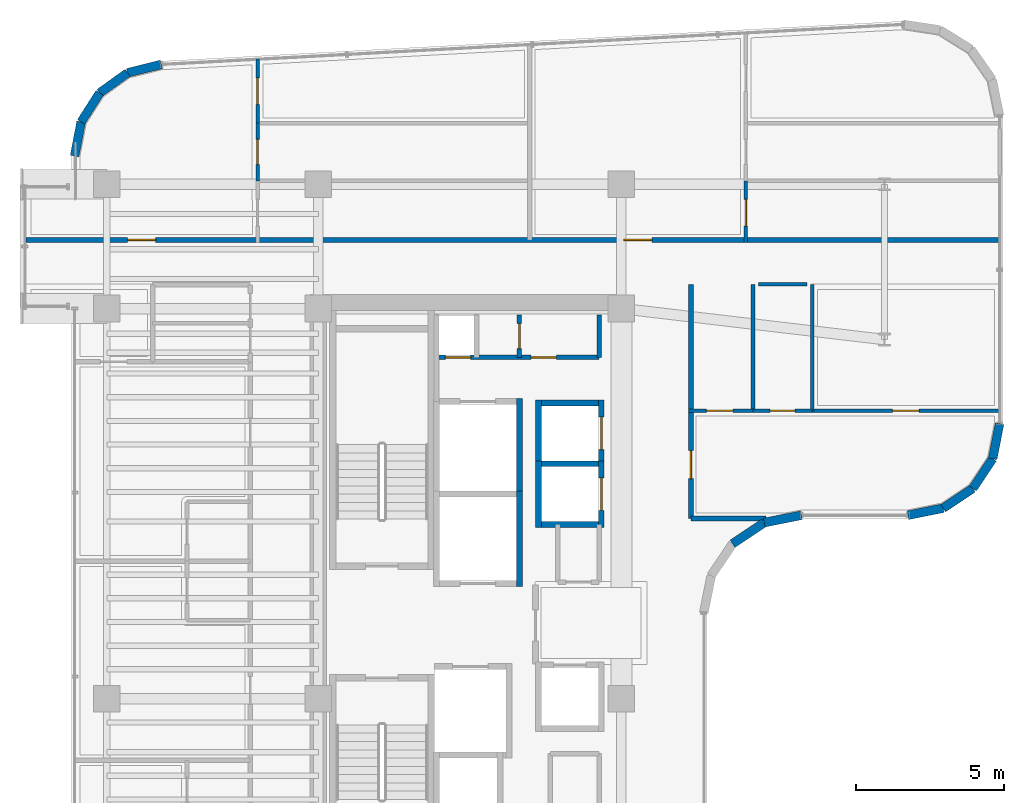
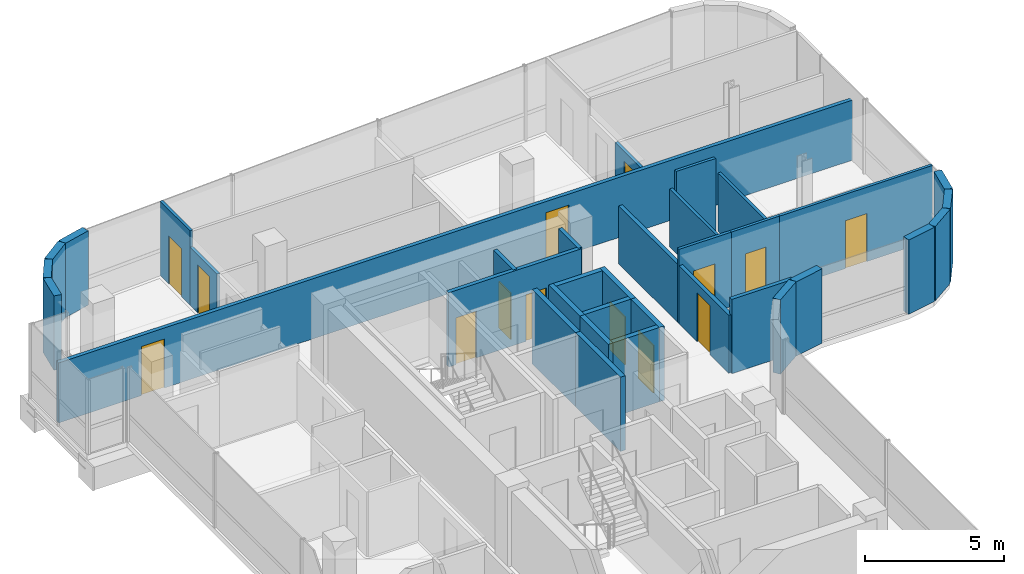
# One storey, part 19 of 23: 34 walls, 14 doors, 14 openings.
"""IFC4 building model written with IfcOpenShell, lengths in metres."""

from ifc_helpers import new_model, si_unit, direction, frame, frame_2d, origin, place, context, subcontext, project, spatial, rectangle, extrude, material, layer, layer_set, type_object, element, fill, save


model = new_model("IFC4")

# Units and contexts
model_context = context("Model", 3, precision=1e-05, world=origin(), true_north=direction((0.0, 1.0)))
body_context = subcontext(model_context, "Body", "Model", "MODEL_VIEW")
ifc_project = project(units=[si_unit("LENGTHUNIT", "METRE"), si_unit("AREAUNIT", "SQUARE_METRE"), si_unit("VOLUMEUNIT", "CUBIC_METRE"), si_unit("PLANEANGLEUNIT", "RADIAN"), si_unit("MASSUNIT", "GRAM", prefix="KILO")], contexts=[model_context])

# Site, building, storey
site_placement = place(None, origin())
site = spatial("IfcSite", under=ifc_project, at=site_placement, CompositionType="ELEMENT")
building_placement = place(site_placement, origin())
building = spatial("IfcBuilding", under=site, at=building_placement, Name="Valdorenza Pilgrim Sanctuary Tower", CompositionType="ELEMENT")
storey_placement = place(building_placement, frame((0.0, 0.0, 226.5)))
storey = spatial("IfcBuildingStorey", under=building, at=storey_placement, Name="L58", CompositionType="ELEMENT", Elevation=226.5)

# Wall, openings, doors
ifc_material_1 = material(Name="Acoustic twin-stud gypsum partition", Category="gypsum")
ifc_layer_1 = layer(ifc_material_1, 0.159912109375, Name="Acoustic twin-stud gypsum partition")
ifc_layer_set_1 = layer_set([ifc_layer_1], Name="Acoustic twin-stud gypsum partition")
wall_type_1 = type_object("IfcWallType", Name="WAL-COR-160", PredefinedType="PARTITIONING", material=ifc_layer_set_1)
wall_1_placement = place(storey_placement, frame((-18.64990234375, 8.949951171875, 0.0), z_axis=(0.0, 0.0, 1.0), x_axis=(1.0, 0.0, 0.0)))
wall_1 = element("IfcWall", 1, at=wall_1_placement, inside=storey, type_object=wall_type_1, Name="L58 Core A North Service South Wall", PredefinedType="PARTITIONING", context=body_context, shape_type="SweptSolid", body=[
    extrude(rectangle(XDim=5.5, YDim=0.159912109375, at=frame_2d((2.75, 0.0))), origin(), (0.0, 0.0, 1.0), 3.260009765625),
])
opening_1_placement = place(wall_1_placement, frame((0.300048828125, 0.0, 0.0)))
opening_1 = element("IfcOpeningElement", 2, at=opening_1_placement, cuts=wall_1, Name="Opening DR-RS1", PredefinedType="OPENING", context=body_context, shape_type="SweptSolid", body=[
    extrude(rectangle(XDim=0.85009765625, YDim=2.050048828125, at=frame_2d((0.425048828125, 1.02490234375))), frame((0.0, 0.0947265625, 0.0), z_axis=(0.0, -1.0, 0.0), x_axis=(1.0, 0.0, 0.0)), (0.0, 0.0, 1.0), 0.189697265625),
])
opening_2_placement = place(wall_1_placement, frame((3.199951171875, 0.0, 0.0)))
opening_2 = element("IfcOpeningElement", 3, at=opening_2_placement, cuts=wall_1, Name="Opening DR-RS1", PredefinedType="OPENING", context=body_context, shape_type="SweptSolid", body=[
    extrude(rectangle(XDim=0.85009765625, YDim=2.050048828125, at=frame_2d((0.425048828125, 1.02490234375))), frame((0.0, 0.0947265625, 0.0), z_axis=(0.0, -1.0, 0.0), x_axis=(1.0, 0.0, 0.0)), (0.0, 0.0, 1.0), 0.189697265625),
])
ifc_material_2 = material(Name="Painted galvanized steel", Category="steel")
door_type_1 = type_object("IfcDoorType", Name="DR-RSR-850", OperationType="NOTDEFINED", PredefinedType="DOOR", material=ifc_material_2)
door_1_placement = place(opening_1_placement, origin())
door_1 = element("IfcDoor", 4, at=door_1_placement, inside=storey, type_object=door_type_1, Name="L58 Core Electrical and Telecom Riser Door", OperationType="SINGLE_SWING_LEFT", OverallHeight=2.050048828125, OverallWidth=0.85009765625, PredefinedType="DOOR", context=body_context, shape_type="SweptSolid", body=[
    extrude(rectangle(XDim=0.85009765625, YDim=2.050048828125, at=frame_2d((0.425048828125, 1.02490234375))), frame((0.0, 0.02490234375, 0.0), z_axis=(0.0, -1.0, 0.0), x_axis=(1.0, 0.0, 0.0)), (0.0, 0.0, 1.0), 0.050048828125),
])
fill(opening_1, door_1)
door_2_placement = place(opening_2_placement, origin())
door_2 = element("IfcDoor", 5, at=door_2_placement, inside=storey, type_object=door_type_1, Name="L58 Housekeeping and Clean Linen Room Door", OperationType="SINGLE_SWING_RIGHT", OverallHeight=2.050048828125, OverallWidth=0.85009765625, PredefinedType="DOOR", context=body_context, shape_type="SweptSolid", body=[
    extrude(rectangle(XDim=0.85009765625, YDim=2.050048828125, at=frame_2d((0.425048828125, 1.02490234375))), frame((0.0, 0.02490234375, 0.0), z_axis=(0.0, -1.0, 0.0), x_axis=(1.0, 0.0, 0.0)), (0.0, 0.0, 1.0), 0.050048828125),
])
fill(opening_2, door_2)

# Wall
wall_2_placement = place(storey_placement, frame((-13.14990234375, 8.949951171875, 0.0), z_axis=(0.0, 0.0, 1.0), x_axis=(0.0, 1.0, 0.0)))
element("IfcWall", 6, at=wall_2_placement, inside=storey, type_object=wall_type_1, Name="L58 Core A North Service East Wall", PredefinedType="PARTITIONING", context=body_context, shape_type="SweptSolid", body=[
    extrude(rectangle(XDim=1.429931640625, YDim=0.159912109375, at=frame_2d((0.71484375, 0.0))), origin(), (0.0, 0.0, 1.0), 3.260009765625),
])

# Wall, opening, door
wall_3_placement = place(storey_placement, frame((-15.85009765625, 8.949951171875, 0.0), z_axis=(0.0, 0.0, 1.0), x_axis=(0.0, 1.0, 0.0)))
wall_3 = element("IfcWall", 7, at=wall_3_placement, inside=storey, type_object=wall_type_1, Name="L58 Core A Split C", PredefinedType="PARTITIONING", context=body_context, shape_type="SweptSolid", body=[
    extrude(rectangle(XDim=1.429931640625, YDim=0.159912109375, at=frame_2d((0.71484375, 0.0))), origin(), (0.0, 0.0, 1.0), 3.260009765625),
])
opening_3_placement = place(wall_3_placement, frame((0.2900390625, 0.0, 0.0)))
opening_3 = element("IfcOpeningElement", 8, at=opening_3_placement, cuts=wall_3, Name="Opening DR-RS1", PredefinedType="OPENING", context=body_context, shape_type="SweptSolid", body=[
    extrude(rectangle(XDim=0.85009765625, YDim=2.050048828125, at=frame_2d((0.425048828125, 1.02490234375))), frame((0.0, 0.0947265625, 0.0), z_axis=(0.0, -1.0, 0.0), x_axis=(1.0, 0.0, 0.0)), (0.0, 0.0, 1.0), 0.189697265625),
])
door_3_placement = place(opening_3_placement, origin())
door_3 = element("IfcDoor", 9, at=door_3_placement, inside=storey, type_object=door_type_1, Name="L58 Clean Linen Supply Store Door", OperationType="SINGLE_SWING_LEFT", OverallHeight=2.050048828125, OverallWidth=0.85009765625, PredefinedType="DOOR", context=body_context, shape_type="SweptSolid", body=[
    extrude(rectangle(XDim=0.85009765625, YDim=2.050048828125, at=frame_2d((0.425048828125, 1.02490234375))), frame((0.0, 0.02490234375, 0.0), z_axis=(0.0, -1.0, 0.0), x_axis=(1.0, 0.0, 0.0)), (0.0, 0.0, 1.0), 0.050048828125),
])
fill(opening_3, door_3)

# Wall, openings, doors
wall_4_placement = place(storey_placement, frame((-32.5400390625, 12.919921875, 0.0), z_axis=(0.0, 0.0, 1.0), x_axis=(1.0, 0.0, 0.0)))
wall_4 = element("IfcWall", 10, at=wall_4_placement, inside=storey, type_object=wall_type_1, Name="L58 North Corridor Wall", PredefinedType="PARTITIONING", context=body_context, shape_type="SweptSolid", body=[
    extrude(rectangle(XDim=32.929931640625, YDim=0.159912109375, at=frame_2d((16.46484375, 0.0))), origin(), (0.0, 0.0, 1.0), 2.634033203125),
])
opening_4_placement = place(wall_4_placement, frame((3.444091796875, 0.0, 0.0)))
opening_4 = element("IfcOpeningElement", 11, at=opening_4_placement, cuts=wall_4, Name="Opening DR-UN1", PredefinedType="OPENING", context=body_context, shape_type="SweptSolid", body=[
    extrude(rectangle(XDim=0.949951171875, YDim=2.14990234375, at=frame_2d((0.47509765625, 1.074951171875))), frame((0.0, 0.0947265625, 0.0), z_axis=(0.0, -1.0, 0.0), x_axis=(1.0, 0.0, 0.0)), (0.0, 0.0, 1.0), 0.189697265625),
])
opening_5_placement = place(wall_4_placement, frame((20.219970703125, 0.0, 0.0)))
opening_5 = element("IfcOpeningElement", 12, at=opening_5_placement, cuts=wall_4, Name="Opening DR-UN1", PredefinedType="OPENING", context=body_context, shape_type="SweptSolid", body=[
    extrude(rectangle(XDim=0.949951171875, YDim=2.14990234375, at=frame_2d((0.47509765625, 1.074951171875))), frame((0.0, 0.0947265625, 0.0), z_axis=(0.0, -1.0, 0.0), x_axis=(1.0, 0.0, 0.0)), (0.0, 0.0, 1.0), 0.189697265625),
])
ifc_material_3 = material(Name="Solid-core European oak timber", Category="wood")
door_type_2 = type_object("IfcDoorType", Name="DR-UNIT-950", OperationType="NOTDEFINED", PredefinedType="DOOR", material=ifc_material_3)
door_4_placement = place(opening_4_placement, origin())
door_4 = element("IfcDoor", 13, at=door_4_placement, inside=storey, type_object=door_type_2, Name="L58 North Sanctuary Apartment L58-N1 Entrance Door", OperationType="SINGLE_SWING_RIGHT", OverallHeight=2.14990234375, OverallWidth=0.949951171875, PredefinedType="DOOR", context=body_context, shape_type="SweptSolid", body=[
    extrude(rectangle(XDim=0.949951171875, YDim=2.14990234375, at=frame_2d((0.47509765625, 1.074951171875))), frame((0.0, 0.02490234375, 0.0), z_axis=(0.0, -1.0, 0.0), x_axis=(1.0, 0.0, 0.0)), (0.0, 0.0, 1.0), 0.050048828125),
])
fill(opening_4, door_4)
door_5_placement = place(opening_5_placement, origin())
door_5 = element("IfcDoor", 14, at=door_5_placement, inside=storey, type_object=door_type_2, Name="L58 North Sanctuary Apartment L58-N2 Entrance Door", OperationType="SINGLE_SWING_RIGHT", OverallHeight=2.14990234375, OverallWidth=0.949951171875, PredefinedType="DOOR", context=body_context, shape_type="SweptSolid", body=[
    extrude(rectangle(XDim=0.949951171875, YDim=2.14990234375, at=frame_2d((0.47509765625, 1.074951171875))), frame((0.0, 0.02490234375, 0.0), z_axis=(0.0, -1.0, 0.0), x_axis=(1.0, 0.0, 0.0)), (0.0, 0.0, 1.0), 0.050048828125),
])
fill(opening_5, door_5)

# Wall, opening, door
wall_5_placement = place(storey_placement, frame((-10.050048828125, 3.5, 0.0), z_axis=(0.0, 0.0, 1.0), x_axis=(0.0, 1.0, 0.0)))
wall_5 = element("IfcWall", 15, at=wall_5_placement, inside=storey, type_object=wall_type_1, Name="L58 East Stub Corridor Wall", PredefinedType="PARTITIONING", context=body_context, shape_type="SweptSolid", body=[
    extrude(rectangle(XDim=7.919921875, YDim=0.159912109375, at=frame_2d((3.9599609375, 0.0))), origin(), (0.0, 0.0, 1.0), 2.5439453125),
])
opening_6_placement = place(wall_5_placement, frame((1.346923828125, 0.0, 0.0)))
opening_6 = element("IfcOpeningElement", 16, at=opening_6_placement, cuts=wall_5, Name="Opening DR-UN1", PredefinedType="OPENING", context=body_context, shape_type="SweptSolid", body=[
    extrude(rectangle(XDim=0.949951171875, YDim=2.14990234375, at=frame_2d((0.47509765625, 1.074951171875))), frame((0.0, 0.0947265625, 0.0), z_axis=(0.0, -1.0, 0.0), x_axis=(1.0, 0.0, 0.0)), (0.0, 0.0, 1.0), 0.189697265625),
])
door_6_placement = place(opening_6_placement, origin())
door_6 = element("IfcDoor", 17, at=door_6_placement, inside=storey, type_object=door_type_2, Name="L58 East Sanctuary Apartment L58-E1 Entrance Door", OperationType="SINGLE_SWING_RIGHT", OverallHeight=2.14990234375, OverallWidth=0.949951171875, PredefinedType="DOOR", context=body_context, shape_type="SweptSolid", body=[
    extrude(rectangle(XDim=0.949951171875, YDim=2.14990234375, at=frame_2d((0.47509765625, 1.074951171875))), frame((0.0, 0.02490234375, 0.0), z_axis=(0.0, -1.0, 0.0), x_axis=(1.0, 0.0, 0.0)), (0.0, 0.0, 1.0), 0.050048828125),
])
fill(opening_6, door_6)

# Walls
wall_6_placement = place(storey_placement, frame((-10.050048828125, 3.5, 0.0), z_axis=(0.0, 0.0, 1.0), x_axis=(1.0, 0.0, 0.0)))
element("IfcWall", 18, at=wall_6_placement, inside=storey, type_object=wall_type_1, Name="L58 East Stub South Wall", PredefinedType="PARTITIONING", context=body_context, shape_type="SweptSolid", body=[
    extrude(rectangle(XDim=2.545654296875, YDim=0.159912109375, at=frame_2d((1.27294921875, 0.0))), origin(), (0.0, 0.0, 1.0), 3.260009765625),
])
ifc_material_4 = material(Name="Honed travertine limestone", Category="masonry")
ifc_layer_2 = layer(ifc_material_4, 0.300048828125, Name="Honed travertine limestone")
ifc_layer_set_2 = layer_set([ifc_layer_2], Name="Honed travertine limestone")
wall_type_2 = type_object("IfcWallType", Name="WAL-EXT-300", PredefinedType="SOLIDWALL", material=ifc_layer_set_2)
wall_7_placement = place(storey_placement, frame((-30.889892578125, 15.757568359375, 0.0), z_axis=(0.0, 0.0, 1.0), x_axis=(0.18831542659, 0.982108598938, 0.0)))
element("IfcWall", 19, at=wall_7_placement, inside=storey, type_object=wall_type_2, Name="L58 Rounded Wind-Corner Stone Pier 2", PredefinedType="SOLIDWALL", context=body_context, shape_type="SweptSolid", body=[
    extrude(rectangle(XDim=1.174560546875, YDim=0.300048828125, at=frame_2d((0.58740234375, 0.0))), origin(), (0.0, 0.0, 1.0), 3.260009765625),
])
wall_8_placement = place(storey_placement, frame((-30.668701171875, 16.9111328125, 0.0), z_axis=(0.0, 0.0, 1.0), x_axis=(0.538678781902, 0.84251122837, 0.0)))
element("IfcWall", 20, at=wall_8_placement, inside=storey, type_object=wall_type_2, Name="L58 Rounded Wind-Corner Stone Pier 3", PredefinedType="SOLIDWALL", context=body_context, shape_type="SweptSolid", body=[
    extrude(rectangle(XDim=1.164306640625, YDim=0.300048828125, at=frame_2d((0.58203125, 0.0))), origin(), (0.0, 0.0, 1.0), 3.260009765625),
])
wall_9_placement = place(storey_placement, frame((-30.04150390625, 17.89208984375, 0.0), z_axis=(0.0, 0.0, 1.0), x_axis=(0.812313539683, 0.583220981487, 0.0)))
element("IfcWall", 21, at=wall_9_placement, inside=storey, type_object=wall_type_2, Name="L58 Rounded Wind-Corner Stone Pier 4", PredefinedType="SOLIDWALL", context=body_context, shape_type="SweptSolid", body=[
    extrude(rectangle(XDim=1.163818359375, YDim=0.300048828125, at=frame_2d((0.58203125, 0.0))), origin(), (0.0, 0.0, 1.0), 3.260009765625),
])
wall_10_placement = place(storey_placement, frame((-29.09619140625, 18.57080078125, 0.0), z_axis=(0.0, 0.0, 1.0), x_axis=(0.97050812798, 0.241068400098, 0.0)))
element("IfcWall", 22, at=wall_10_placement, inside=storey, type_object=wall_type_2, Name="L58 Rounded Wind-Corner Stone Pier 5", PredefinedType="SOLIDWALL", context=body_context, shape_type="SweptSolid", body=[
    extrude(rectangle(XDim=1.1748046875, YDim=0.300048828125, at=frame_2d((0.58740234375, 0.0))), origin(), (0.0, 0.0, 1.0), 3.260009765625),
])
wall_11_placement = place(storey_placement, frame((0.389892578125, 6.710693359375, 0.0), z_axis=(0.0, 0.0, 1.0), x_axis=(-0.194996050505, -0.980804027463, 0.0)))
element("IfcWall", 23, at=wall_11_placement, inside=storey, type_object=wall_type_2, Name="L58 Rounded Wind-Corner Stone Pier 12", PredefinedType="SOLIDWALL", context=body_context, shape_type="SweptSolid", body=[
    extrude(rectangle(XDim=1.2158203125, YDim=0.300048828125, at=frame_2d((0.60791015625, 0.0))), origin(), (0.0, 0.0, 1.0), 3.260009765625),
])
for number, where, z_axis, x_axis, name in (
    (24, (0.15283203125, 5.518310546875, 0.0), (0.0, 0.0, 1.0), (-0.555635100982, -0.831426265255, 0.0), "L58 Rounded Wind-Corner Stone Pier 13"),
    (25, (-0.5166015625, 4.5166015625, 0.0), (0.0, 0.0, 1.0), (-0.831426265255, -0.555635100982, 0.0), "L58 Rounded Wind-Corner Stone Pier 14"),
):
    element("IfcWall", number, at=place(storey_placement, frame(where, z_axis=z_axis, x_axis=x_axis)), inside=storey, type_object=wall_type_2, Name=name, PredefinedType="SOLIDWALL", context=body_context, shape_type="SweptSolid", body=[
        extrude(rectangle(XDim=1.204833984375, YDim=0.300048828125, at=frame_2d((0.6025390625, 0.0))), origin(), (0.0, 0.0, 1.0), 3.260009765625),
    ])
wall_12_placement = place(storey_placement, frame((-1.518310546875, 3.84716796875, 0.0), z_axis=(0.0, 0.0, 1.0), x_axis=(-0.980804027463, -0.194996050505, 0.0)))
element("IfcWall", 26, at=wall_12_placement, inside=storey, type_object=wall_type_2, Name="L58 Rounded Wind-Corner Stone Pier 15", PredefinedType="SOLIDWALL", context=body_context, shape_type="SweptSolid", body=[
    extrude(rectangle(XDim=1.2158203125, YDim=0.300048828125, at=frame_2d((0.60791015625, 0.0))), origin(), (0.0, 0.0, 1.0), 3.260009765625),
])
wall_13_placement = place(storey_placement, frame((-6.310791015625, 3.610107421875, 0.0), z_axis=(0.0, 0.0, 1.0), x_axis=(-0.980778058848, -0.195126623715, 0.0)))
element("IfcWall", 27, at=wall_13_placement, inside=storey, type_object=wall_type_2, Name="L58 Rounded Wind-Corner Stone Pier 17", PredefinedType="SOLIDWALL", context=body_context, shape_type="SweptSolid", body=[
    extrude(rectangle(XDim=1.28125, YDim=0.300048828125, at=frame_2d((0.640625, 0.0))), origin(), (0.0, 0.0, 1.0), 3.260009765625),
])
wall_14_placement = place(storey_placement, frame((-7.5673828125, 3.360107421875, 0.0), z_axis=(0.0, 0.0, 1.0), x_axis=(-0.831497739511, -0.555528135371, 0.0)))
element("IfcWall", 28, at=wall_14_placement, inside=storey, type_object=wall_type_2, Name="L58 Rounded Wind-Corner Stone Pier 18", PredefinedType="SOLIDWALL", context=body_context, shape_type="SweptSolid", body=[
    extrude(rectangle(XDim=1.29248046875, YDim=0.300048828125, at=frame_2d((0.646240234375, 0.0))), origin(), (0.0, 0.0, 1.0), 3.260009765625),
])

# Wall, opening, door
ifc_material_5 = material(Name="Moisture-resistant gypsum partition", Category="gypsum")
ifc_layer_3 = layer(ifc_material_5, 0.1201171875, Name="Moisture-resistant gypsum partition")
ifc_layer_set_3 = layer_set([ifc_layer_3], Name="Moisture-resistant gypsum partition")
wall_type_3 = type_object("IfcWallType", Name="WAL-INT-120", PredefinedType="PARTITIONING", material=ifc_layer_set_3)
wall_15_placement = place(storey_placement, frame((-24.70166015625, 14.919921875, 0.0), z_axis=(0.0, 0.0, 1.0), x_axis=(0.0, 1.0, 0.0)))
wall_15 = element("IfcWall", 29, at=wall_15_placement, inside=storey, type_object=wall_type_3, Name="L58 North Sanctuary Apartment L58-N1 Bathroom Door Wall", PredefinedType="PARTITIONING", context=body_context, shape_type="SweptSolid", body=[
    extrude(rectangle(XDim=1.9501953125, YDim=0.1201171875, at=frame_2d((0.97509765625, 0.0))), origin(), (0.0, 0.0, 1.0), 2.5439453125),
])
opening_7_placement = place(wall_15_placement, frame((0.550048828125, 0.0, 0.0)))
opening_7 = element("IfcOpeningElement", 30, at=opening_7_placement, cuts=wall_15, Name="Opening DR-WC1", PredefinedType="OPENING", context=body_context, shape_type="SweptSolid", body=[
    extrude(rectangle(XDim=0.85009765625, YDim=2.10009765625, at=frame_2d((0.425048828125, 1.050048828125))), frame((0.0, 0.074951171875, 0.0), z_axis=(0.0, -1.0, 0.0), x_axis=(1.0, 0.0, 0.0)), (0.0, 0.0, 1.0), 0.14990234375),
])
ifc_material_6 = material(Name="Moisture-resistant lacquered timber", Category="wood")
door_type_3 = type_object("IfcDoorType", Name="DR-BATH-850", OperationType="NOTDEFINED", PredefinedType="DOOR", material=ifc_material_6)
door_7_placement = place(opening_7_placement, origin())
door_7 = element("IfcDoor", 31, at=door_7_placement, inside=storey, type_object=door_type_3, Name="L58 North Sanctuary Apartment L58-N1 Bathroom Door", OperationType="SINGLE_SWING_LEFT", OverallHeight=2.10009765625, OverallWidth=0.85009765625, PredefinedType="DOOR", context=body_context, shape_type="SweptSolid", body=[
    extrude(rectangle(XDim=0.85009765625, YDim=2.10009765625, at=frame_2d((0.425048828125, 1.050048828125))), frame((0.0, 0.02490234375, 0.0), z_axis=(0.0, -1.0, 0.0), x_axis=(1.0, 0.0, 0.0)), (0.0, 0.0, 1.0), 0.050048828125),
])
fill(opening_7, door_7)

wall_16_placement = place(storey_placement, frame((-24.70166015625, 16.8701171875, 0.0), z_axis=(0.0, 0.0, 1.0), x_axis=(0.0, 1.0, 0.0)))
wall_16 = element("IfcWall", 32, at=wall_16_placement, inside=storey, type_object=wall_type_3, Name="L58 North Sanctuary Apartment L58-N1 Bedroom Door Wall", PredefinedType="PARTITIONING", context=body_context, shape_type="SweptSolid", body=[
    extrude(rectangle(XDim=2.15966796875, YDim=0.1201171875, at=frame_2d((1.079833984375, 0.0))), origin(), (0.0, 0.0, 1.0), 3.260009765625),
])
opening_8_placement = place(wall_16_placement, frame((0.6298828125, 0.0, 0.0)))
opening_8 = element("IfcOpeningElement", 33, at=opening_8_placement, cuts=wall_16, Name="Opening DR-RM1", PredefinedType="OPENING", context=body_context, shape_type="SweptSolid", body=[
    extrude(rectangle(XDim=0.89990234375, YDim=2.10009765625, at=frame_2d((0.449951171875, 1.050048828125))), frame((0.0, 0.074951171875, 0.0), z_axis=(0.0, -1.0, 0.0), x_axis=(1.0, 0.0, 0.0)), (0.0, 0.0, 1.0), 0.14990234375),
])
door_type_4 = type_object("IfcDoorType", Name="DR-ROOM-900", OperationType="NOTDEFINED", PredefinedType="DOOR", material=ifc_material_3)
door_8_placement = place(opening_8_placement, frame((0.89990234375, 0.0, 0.0), z_axis=(0.0, 0.0, 1.0), x_axis=(-1.0, 0.0, 0.0)))
door_8 = element("IfcDoor", 34, at=door_8_placement, inside=storey, type_object=door_type_4, Name="L58 North Sanctuary Apartment L58-N1 Bedroom Door", OperationType="SINGLE_SWING_LEFT", OverallHeight=2.10009765625, OverallWidth=0.89990234375, PredefinedType="DOOR", context=body_context, shape_type="SweptSolid", body=[
    extrude(rectangle(XDim=0.89990234375, YDim=2.10009765625, at=frame_2d((0.449951171875, 1.050048828125))), frame((0.0, 0.02490234375, 0.0), z_axis=(0.0, -1.0, 0.0), x_axis=(1.0, 0.0, 0.0)), (0.0, 0.0, 1.0), 0.050048828125),
])
fill(opening_8, door_8)

wall_17_placement = place(storey_placement, frame((-8.190673828125, 12.840087890625, 0.0), z_axis=(0.0, 0.0, 1.0), x_axis=(0.0, 1.0, 0.0)))
wall_17 = element("IfcWall", 35, at=wall_17_placement, inside=storey, type_object=wall_type_3, Name="L58 North Sanctuary Apartment L58-N2 Kitchen Door Wall", PredefinedType="PARTITIONING", context=body_context, shape_type="SweptSolid", body=[
    extrude(rectangle(XDim=2.079833984375, YDim=0.1201171875, at=frame_2d((1.0400390625, 0.0))), origin(), (0.0, 0.0, 1.0), 2.5439453125),
])
opening_9_placement = place(wall_17_placement, frame((0.550048828125, 0.0, 0.0)))
opening_9 = element("IfcOpeningElement", 36, at=opening_9_placement, cuts=wall_17, Name="Opening DR-RM1", PredefinedType="OPENING", context=body_context, shape_type="SweptSolid", body=[
    extrude(rectangle(XDim=0.89990234375, YDim=2.10009765625, at=frame_2d((0.449951171875, 1.050048828125))), frame((0.0, 0.074951171875, 0.0), z_axis=(0.0, -1.0, 0.0), x_axis=(1.0, 0.0, 0.0)), (0.0, 0.0, 1.0), 0.14990234375),
])
door_9_placement = place(opening_9_placement, origin())
door_9 = element("IfcDoor", 37, at=door_9_placement, inside=storey, type_object=door_type_4, Name="L58 North Sanctuary Apartment L58-N2 Kitchen Door", OperationType="SINGLE_SWING_RIGHT", OverallHeight=2.10009765625, OverallWidth=0.89990234375, PredefinedType="DOOR", context=body_context, shape_type="SweptSolid", body=[
    extrude(rectangle(XDim=0.89990234375, YDim=2.10009765625, at=frame_2d((0.449951171875, 1.050048828125))), frame((0.0, 0.02490234375, 0.0), z_axis=(0.0, -1.0, 0.0), x_axis=(1.0, 0.0, 0.0)), (0.0, 0.0, 1.0), 0.050048828125),
])
fill(opening_9, door_9)

# Walls
for number, where, z_axis, x_axis, name in (
    (38, (-7.949951171875, 7.143310546875, 0.0), (0.0, 0.0, 1.0), (0.0, 1.0, 0.0), "L58 East Sanctuary Apartment L58-E1 Bath-Kitchen Wall"),
    (39, (-5.949951171875, 7.143310546875, 0.0), (0.0, 0.0, 1.0), (0.0, 1.0, 0.0), "L58 East Sanctuary Apartment L58-E1 Kitchen-Bedroom Wall"),
):
    element("IfcWall", number, at=place(storey_placement, frame(where, z_axis=z_axis, x_axis=x_axis)), inside=storey, type_object=wall_type_3, Name=name, PredefinedType="PARTITIONING", context=body_context, shape_type="SweptSolid", body=[
        extrude(rectangle(XDim=4.276611328125, YDim=0.1201171875, at=frame_2d((2.13818359375, 0.0))), origin(), (0.0, 0.0, 1.0), 2.5439453125),
    ])

# Wall, opening, door
wall_18_placement = place(storey_placement, frame((-7.949951171875, 7.143310546875, 0.0), z_axis=(0.0, 0.0, 1.0), x_axis=(1.0, 0.0, 0.0)))
wall_18 = element("IfcWall", 40, at=wall_18_placement, inside=storey, type_object=wall_type_3, Name="L58 East Sanctuary Apartment L58-E1 Bathroom Door Wall", PredefinedType="PARTITIONING", context=body_context, shape_type="SweptSolid", body=[
    extrude(rectangle(XDim=2.0, YDim=0.1201171875, at=frame_2d((1.0, 0.0))), origin(), (0.0, 0.0, 1.0), 3.260009765625),
])
opening_10_placement = place(wall_18_placement, frame((0.574951171875, 0.0, 0.0)))
opening_10 = element("IfcOpeningElement", 41, at=opening_10_placement, cuts=wall_18, Name="Opening DR-WC1", PredefinedType="OPENING", context=body_context, shape_type="SweptSolid", body=[
    extrude(rectangle(XDim=0.85009765625, YDim=2.10009765625, at=frame_2d((0.425048828125, 1.050048828125))), frame((0.0, 0.074951171875, 0.0), z_axis=(0.0, -1.0, 0.0), x_axis=(1.0, 0.0, 0.0)), (0.0, 0.0, 1.0), 0.14990234375),
])
door_10_placement = place(opening_10_placement, origin())
door_10 = element("IfcDoor", 42, at=door_10_placement, inside=storey, type_object=door_type_3, Name="L58 East Sanctuary Apartment L58-E1 Bathroom Door", OperationType="SINGLE_SWING_LEFT", OverallHeight=2.10009765625, OverallWidth=0.85009765625, PredefinedType="DOOR", context=body_context, shape_type="SweptSolid", body=[
    extrude(rectangle(XDim=0.85009765625, YDim=2.10009765625, at=frame_2d((0.425048828125, 1.050048828125))), frame((0.0, 0.02490234375, 0.0), z_axis=(0.0, -1.0, 0.0), x_axis=(1.0, 0.0, 0.0)), (0.0, 0.0, 1.0), 0.050048828125),
])
fill(opening_10, door_10)

wall_19_placement = place(storey_placement, frame((-10.1298828125, 7.143310546875, 0.0), z_axis=(0.0, 0.0, 1.0), x_axis=(1.0, 0.0, 0.0)))
wall_19 = element("IfcWall", 43, at=wall_19_placement, inside=storey, type_object=wall_type_3, Name="L58 East Sanctuary Apartment L58-E1 Kitchen Door Wall", PredefinedType="PARTITIONING", context=body_context, shape_type="SweptSolid", body=[
    extrude(rectangle(XDim=2.179931640625, YDim=0.1201171875, at=frame_2d((1.08984375, 0.0))), origin(), (0.0, 0.0, 1.0), 3.260009765625),
])
opening_11_placement = place(wall_19_placement, frame((0.60009765625, 0.0, 0.0)))
opening_11 = element("IfcOpeningElement", 44, at=opening_11_placement, cuts=wall_19, Name="Opening DR-RM1", PredefinedType="OPENING", context=body_context, shape_type="SweptSolid", body=[
    extrude(rectangle(XDim=0.89990234375, YDim=2.10009765625, at=frame_2d((0.449951171875, 1.050048828125))), frame((0.0, 0.074951171875, 0.0), z_axis=(0.0, -1.0, 0.0), x_axis=(1.0, 0.0, 0.0)), (0.0, 0.0, 1.0), 0.14990234375),
])
door_11_placement = place(opening_11_placement, origin())
door_11 = element("IfcDoor", 45, at=door_11_placement, inside=storey, type_object=door_type_4, Name="L58 East Sanctuary Apartment L58-E1 Kitchen Door", OperationType="SINGLE_SWING_RIGHT", OverallHeight=2.10009765625, OverallWidth=0.89990234375, PredefinedType="DOOR", context=body_context, shape_type="SweptSolid", body=[
    extrude(rectangle(XDim=0.89990234375, YDim=2.10009765625, at=frame_2d((0.449951171875, 1.050048828125))), frame((0.0, 0.02490234375, 0.0), z_axis=(0.0, -1.0, 0.0), x_axis=(1.0, 0.0, 0.0)), (0.0, 0.0, 1.0), 0.050048828125),
])
fill(opening_11, door_11)

wall_20_placement = place(storey_placement, frame((-5.949951171875, 7.143310546875, 0.0), z_axis=(0.0, 0.0, 1.0), x_axis=(1.0, 0.0, 0.0)))
wall_20 = element("IfcWall", 46, at=wall_20_placement, inside=storey, type_object=wall_type_3, Name="L58 East Sanctuary Apartment L58-E1 Bedroom Door Wall", PredefinedType="PARTITIONING", context=body_context, shape_type="SweptSolid", body=[
    extrude(rectangle(XDim=6.33984375, YDim=0.1201171875, at=frame_2d((3.169921875, 0.0))), origin(), (0.0, 0.0, 1.0), 3.260009765625),
])
opening_12_placement = place(wall_20_placement, frame((2.719970703125, 0.0, 0.0)))
opening_12 = element("IfcOpeningElement", 47, at=opening_12_placement, cuts=wall_20, Name="Opening DR-RM1", PredefinedType="OPENING", context=body_context, shape_type="SweptSolid", body=[
    extrude(rectangle(XDim=0.89990234375, YDim=2.10009765625, at=frame_2d((0.449951171875, 1.050048828125))), frame((0.0, 0.074951171875, 0.0), z_axis=(0.0, -1.0, 0.0), x_axis=(1.0, 0.0, 0.0)), (0.0, 0.0, 1.0), 0.14990234375),
])
door_12_placement = place(opening_12_placement, frame((0.89990234375, 0.0, 0.0), z_axis=(0.0, 0.0, 1.0), x_axis=(-1.0, 0.0, 0.0)))
door_12 = element("IfcDoor", 48, at=door_12_placement, inside=storey, type_object=door_type_4, Name="L58 East Sanctuary Apartment L58-E1 Bedroom Door", OperationType="SINGLE_SWING_LEFT", OverallHeight=2.10009765625, OverallWidth=0.89990234375, PredefinedType="DOOR", context=body_context, shape_type="SweptSolid", body=[
    extrude(rectangle(XDim=0.89990234375, YDim=2.10009765625, at=frame_2d((0.449951171875, 1.050048828125))), frame((0.0, 0.02490234375, 0.0), z_axis=(0.0, -1.0, 0.0), x_axis=(1.0, 0.0, 0.0)), (0.0, 0.0, 1.0), 0.050048828125),
])
fill(opening_12, door_12)

# Walls
wall_21_placement = place(storey_placement, frame((-7.77001953125, 11.419921875, 0.0), z_axis=(0.0, 0.0, 1.0), x_axis=(1.0, 0.0, 0.0)))
element("IfcWall", 49, at=wall_21_placement, inside=storey, type_object=wall_type_3, Name="L58 ESTB-S1-BTH Enclosure Wall N", PredefinedType="PARTITIONING", context=body_context, shape_type="SweptSolid", body=[
    extrude(rectangle(XDim=1.64013671875, YDim=0.1201171875, at=frame_2d((0.820068359375, 0.0))), origin(), (0.0, 0.0, 1.0), 3.260009765625),
])
ifc_material_7 = material(Name="Autoclaved aerated concrete blockwork", Category="masonry")
ifc_layer_4 = layer(ifc_material_7, 0.199951171875, Name="Autoclaved aerated concrete blockwork")
ifc_layer_set_4 = layer_set([ifc_layer_4], Name="Autoclaved aerated concrete blockwork")
wall_type_4 = type_object("IfcWallType", Name="WAL-SHF-200", PredefinedType="MOVABLE", material=ifc_layer_set_4)
wall_22_placement = place(storey_placement, frame((-15.85009765625, 1.199951171875, 0.0), z_axis=(0.0, 0.0, 1.0), x_axis=(0.0, 1.0, 0.0)))
element("IfcWall", 50, at=wall_22_placement, inside=storey, type_object=wall_type_4, Name="L58 Lift FFL-01 Hoistway Wall East", PredefinedType="MOVABLE", context=body_context, shape_type="SweptSolid", body=[
    extrude(rectangle(XDim=3.22509765625, YDim=0.199951171875, at=frame_2d((1.612548828125, 0.0))), origin(), (0.0, 0.0, 1.0), 3.260009765625),
])
wall_23_placement = place(storey_placement, frame((-15.85009765625, 4.22509765625, 0.0), z_axis=(0.0, 0.0, 1.0), x_axis=(0.0, 1.0, 0.0)))
element("IfcWall", 51, at=wall_23_placement, inside=storey, type_object=wall_type_4, Name="L58 Lift SVL-01 Hoistway Wall East", PredefinedType="MOVABLE", context=body_context, shape_type="SweptSolid", body=[
    extrude(rectangle(XDim=3.324951171875, YDim=0.199951171875, at=frame_2d((1.66259765625, 0.0))), origin(), (0.0, 0.0, 1.0), 3.260009765625),
])
wall_24_placement = place(storey_placement, frame((-15.199951171875, 3.199951171875, 0.0), z_axis=(0.0, 0.0, 1.0), x_axis=(0.0, 1.0, 0.0)))
element("IfcWall", 52, at=wall_24_placement, inside=storey, type_object=wall_type_4, Name="L58 Lift PL-09 Hoistway Wall West", PredefinedType="MOVABLE", context=body_context, shape_type="SweptSolid", body=[
    extrude(rectangle(XDim=2.25, YDim=0.199951171875, at=frame_2d((1.125, 0.0))), origin(), (0.0, 0.0, 1.0), 3.260009765625),
])

# Wall, opening, door
wall_25_placement = place(storey_placement, frame((-13.080078125, 3.199951171875, 0.0), z_axis=(0.0, 0.0, 1.0), x_axis=(0.0, 1.0, 0.0)))
wall_25 = element("IfcWall", 53, at=wall_25_placement, inside=storey, type_object=wall_type_4, Name="L58 Lift PL-09 Hoistway Wall East", PredefinedType="MOVABLE", context=body_context, shape_type="SweptSolid", body=[
    extrude(rectangle(XDim=2.25, YDim=0.199951171875, at=frame_2d((1.125, 0.0))), origin(), (0.0, 0.0, 1.0), 3.260009765625),
])
opening_13_placement = place(wall_25_placement, frame((0.574951171875, 0.0, 0.0)))
opening_13 = element("IfcOpeningElement", 54, at=opening_13_placement, cuts=wall_25, Name="Opening LD-01", PredefinedType="OPENING", context=body_context, shape_type="SweptSolid", body=[
    extrude(rectangle(XDim=1.10009765625, YDim=2.10009765625, at=frame_2d((0.550048828125, 1.050048828125))), frame((0.0, 0.11474609375, 0.0), z_axis=(0.0, -1.0, 0.0), x_axis=(1.0, 0.0, 0.0)), (0.0, 0.0, 1.0), 0.229736328125),
])
ifc_material_8 = material(Name="Brushed stainless steel Grade 316", Category="steel")
door_type_5 = type_object("IfcDoorType", Name="DR-LFT-1100", OperationType="DOUBLE_DOOR_SLIDING", PredefinedType="DOOR", material=ifc_material_8)
door_13_placement = place(opening_13_placement, origin())
door_13 = element("IfcDoor", 55, at=door_13_placement, inside=storey, type_object=door_type_5, Name="L58 Lift PL-09 Sliding Landing Door", OperationType="DOUBLE_DOOR_SLIDING", OverallHeight=2.10009765625, OverallWidth=1.10009765625, PredefinedType="DOOR", context=body_context, shape_type="SweptSolid", body=[
    extrude(rectangle(XDim=1.10009765625, YDim=2.10009765625, at=frame_2d((0.550048828125, 1.050048828125))), frame((0.0, 0.02490234375, 0.0), z_axis=(0.0, -1.0, 0.0), x_axis=(1.0, 0.0, 0.0)), (0.0, 0.0, 1.0), 0.050048828125),
])
fill(opening_13, door_13)

# Walls
for number, where, z_axis, x_axis, name in (
    (56, (-15.10009765625, 3.300048828125, 0.0), (0.0, 0.0, 1.0), (1.0, 0.0, 0.0), "L58 Lift PL-09 Hoistway Wall South"),
    (57, (-15.10009765625, 5.35009765625, 0.0), (0.0, 0.0, 1.0), (1.0, 0.0, 0.0), "L58 Lift PL-09 Hoistway Wall North"),
):
    element("IfcWall", number, at=place(storey_placement, frame(where, z_axis=z_axis, x_axis=x_axis)), inside=storey, type_object=wall_type_4, Name=name, PredefinedType="MOVABLE", context=body_context, shape_type="SweptSolid", body=[
        extrude(rectangle(XDim=1.920166015625, YDim=0.199951171875, at=frame_2d((0.9599609375, 0.0))), origin(), (0.0, 0.0, 1.0), 3.260009765625),
    ])
wall_26_placement = place(storey_placement, frame((-15.199951171875, 5.25, 0.0), z_axis=(0.0, 0.0, 1.0), x_axis=(0.0, 1.0, 0.0)))
element("IfcWall", 58, at=wall_26_placement, inside=storey, type_object=wall_type_4, Name="L58 Lift PL-10 Hoistway Wall West", PredefinedType="MOVABLE", context=body_context, shape_type="SweptSolid", body=[
    extrude(rectangle(XDim=2.25, YDim=0.199951171875, at=frame_2d((1.125, 0.0))), origin(), (0.0, 0.0, 1.0), 3.260009765625),
])

# Wall, opening, door
wall_27_placement = place(storey_placement, frame((-13.080078125, 5.25, 0.0), z_axis=(0.0, 0.0, 1.0), x_axis=(0.0, 1.0, 0.0)))
wall_27 = element("IfcWall", 59, at=wall_27_placement, inside=storey, type_object=wall_type_4, Name="L58 Lift PL-10 Hoistway Wall East", PredefinedType="MOVABLE", context=body_context, shape_type="SweptSolid", body=[
    extrude(rectangle(XDim=2.25, YDim=0.199951171875, at=frame_2d((1.125, 0.0))), origin(), (0.0, 0.0, 1.0), 3.260009765625),
])
opening_14_placement = place(wall_27_placement, frame((0.574951171875, 0.0, 0.0)))
opening_14 = element("IfcOpeningElement", 60, at=opening_14_placement, cuts=wall_27, Name="Opening LD-01", PredefinedType="OPENING", context=body_context, shape_type="SweptSolid", body=[
    extrude(rectangle(XDim=1.10009765625, YDim=2.10009765625, at=frame_2d((0.550048828125, 1.050048828125))), frame((0.0, 0.11474609375, 0.0), z_axis=(0.0, -1.0, 0.0), x_axis=(1.0, 0.0, 0.0)), (0.0, 0.0, 1.0), 0.229736328125),
])
door_14_placement = place(opening_14_placement, origin())
door_14 = element("IfcDoor", 61, at=door_14_placement, inside=storey, type_object=door_type_5, Name="L58 Lift PL-10 Sliding Landing Door", OperationType="DOUBLE_DOOR_SLIDING", OverallHeight=2.10009765625, OverallWidth=1.10009765625, PredefinedType="DOOR", context=body_context, shape_type="SweptSolid", body=[
    extrude(rectangle(XDim=1.10009765625, YDim=2.10009765625, at=frame_2d((0.550048828125, 1.050048828125))), frame((0.0, 0.02490234375, 0.0), z_axis=(0.0, -1.0, 0.0), x_axis=(1.0, 0.0, 0.0)), (0.0, 0.0, 1.0), 0.050048828125),
])
fill(opening_14, door_14)

# Wall
wall_28_placement = place(storey_placement, frame((-15.10009765625, 7.39990234375, 0.0), z_axis=(0.0, 0.0, 1.0), x_axis=(1.0, 0.0, 0.0)))
element("IfcWall", 62, at=wall_28_placement, inside=storey, type_object=wall_type_4, Name="L58 Lift PL-10 Hoistway Wall North", PredefinedType="MOVABLE", context=body_context, shape_type="SweptSolid", body=[
    extrude(rectangle(XDim=1.920166015625, YDim=0.199951171875, at=frame_2d((0.9599609375, 0.0))), origin(), (0.0, 0.0, 1.0), 3.260009765625),
])

save(model, "model.ifc")
